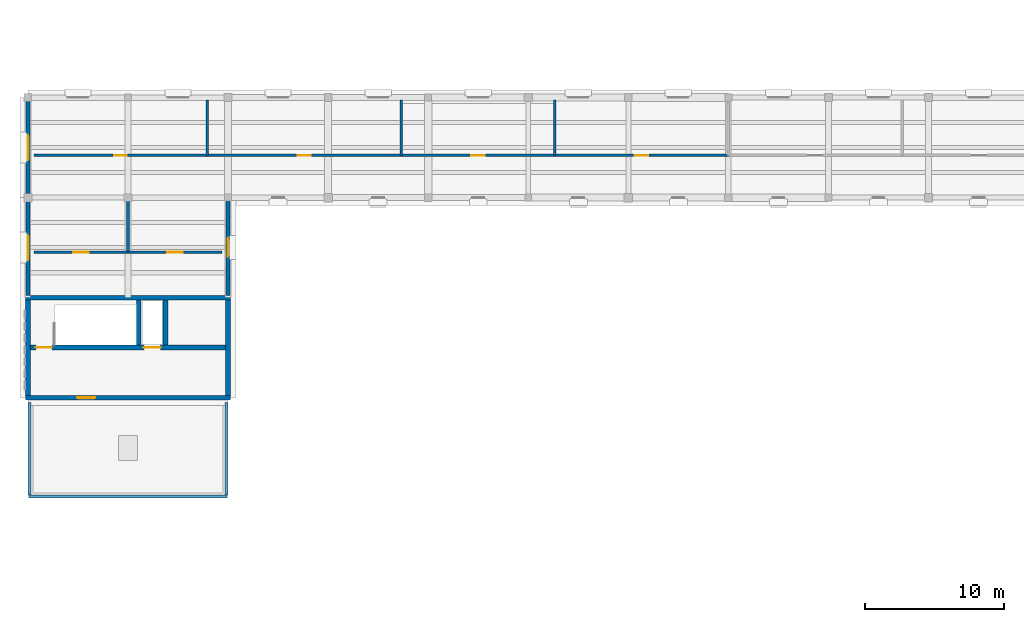
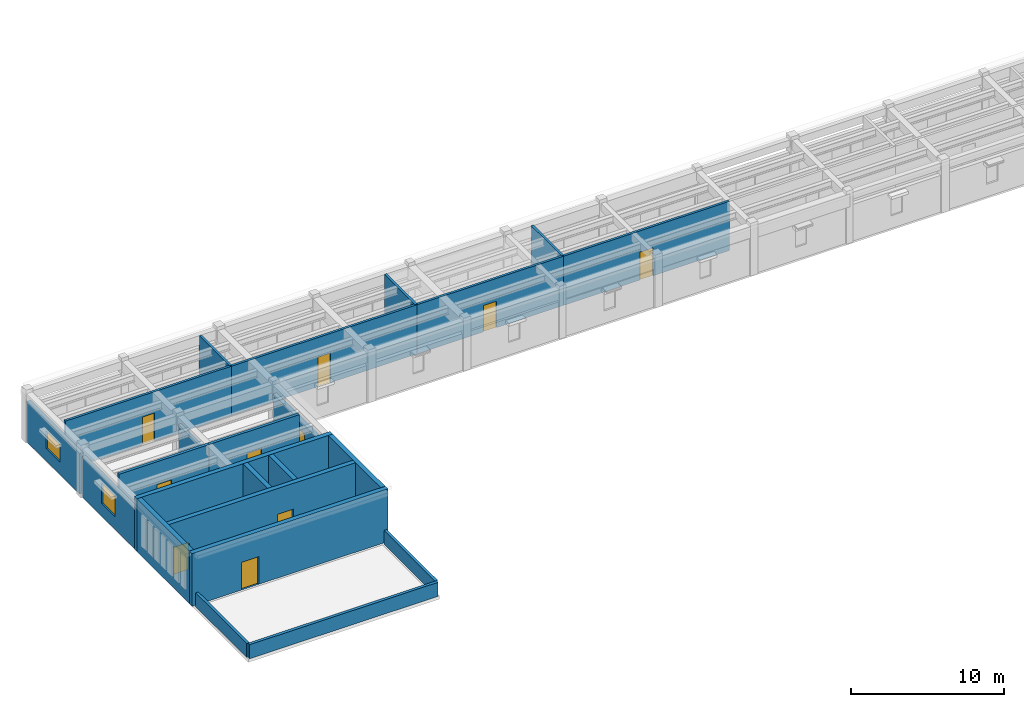
# One storey, part 9 of 22: 23 walls, 9 doors, 3 windows, 12 openings.
"""IFC4 building model written with IfcOpenShell, lengths in metres."""

import ifcopenshell
import ifcopenshell.guid

model = None  # the IFC model being written
_history = None  # IfcOwnerHistory: only IFC2X3 demands one
_inside = {}  # id of a spatial element -> (the spatial element, [elements in it])
_under = {}  # id of a project, library or spatial element -> (it, [spatial elements below it])
_declared = {}  # id of a project -> (the project, [libraries it declares])
_typed = {}  # id of a type object -> (the type object, [elements of that type])
_made_of = {}  # id of a material, layer set ... -> (it, [elements and type objects made of it])


def new_model(schema):
    """Start an empty IFC model of exactly this schema.

    Asked for "IFC4X3", IfcOpenShell would pick the latest addendum, in which some entities
    have other attributes; the version numbers below select the first issue.
    IFC2X3 requires an IfcOwnerHistory on every rooted entity: one is made here for all.
    """
    global model, _history
    if schema == "IFC4X3":
        model = ifcopenshell.file(schema_version=(4, 3, 0, 0))
    else:
        model = ifcopenshell.file(schema=schema)
    _inside.clear()
    _under.clear()
    _declared.clear()
    _typed.clear()
    _made_of.clear()
    _history = None
    if model.schema == "IFC2X3":
        org = make("IfcOrganization", Name="unknown")
        user = make(
            "IfcPersonAndOrganization",
            ThePerson=make("IfcPerson", FamilyName="unknown"),
            TheOrganization=org,
        )
        app = make(
            "IfcApplication",
            ApplicationDeveloper=org,
            Version="unknown",
            ApplicationFullName="unknown",
            ApplicationIdentifier="unknown",
        )
        _history = make(
            "IfcOwnerHistory",
            OwningUser=user,
            OwningApplication=app,
            ChangeAction="ADDED",
            CreationDate=0,
        )
    return model


def make(cls, **values):
    """One entity of the class cls with the attributes given. An attribute that is None is left unset."""
    return model.create_entity(
        cls, **{name: value for name, value in values.items() if value is not None}
    )


def rooted(cls, **values):
    """An entity with a GlobalId (a new one), such as an element, a storey or a relation."""
    return make(cls, GlobalId=ifcopenshell.guid.new(), OwnerHistory=_history, **values)


def si_unit(unit_type, name, prefix=None):
    """IfcSIUnit, for example si_unit("LENGTHUNIT", "METRE", prefix="MILLI")."""
    return make("IfcSIUnit", UnitType=unit_type, Prefix=prefix, Name=name)


def assignment(units):
    """IfcUnitAssignment: the units of a project."""
    return None if units is None else make("IfcUnitAssignment", Units=units)


def point(xyz):
    """IfcCartesianPoint."""
    return None if xyz is None else make("IfcCartesianPoint", Coordinates=xyz)


def direction(xyz):
    """IfcDirection."""
    return None if xyz is None else make("IfcDirection", DirectionRatios=xyz)


def frame(location, z_axis=None, x_axis=None):
    """IfcAxis2Placement3D, a coordinate frame: its origin and axes. An axis left out is left unset."""
    return make(
        "IfcAxis2Placement3D",
        Location=point(location),
        Axis=direction(z_axis),
        RefDirection=direction(x_axis),
    )


def frame_2d(location, x_axis=None):
    """IfcAxis2Placement2D, a coordinate frame in the plane: its origin and x axis."""
    return make(
        "IfcAxis2Placement2D", Location=point(location), RefDirection=direction(x_axis)
    )


def origin():
    """The frame at (0, 0, 0) with its axes left unset."""
    return frame((0.0, 0.0, 0.0))


def place(relative_to, where):
    """IfcLocalPlacement: puts the frame where relative to a parent placement (None: the world)."""
    return make(
        "IfcLocalPlacement", PlacementRelTo=relative_to, RelativePlacement=where
    )


def context(
    kind, dimensions, precision=None, world=None, true_north=None, identifier=None
):
    """IfcGeometricRepresentationContext, for example the 3D "Model" context."""
    return make(
        "IfcGeometricRepresentationContext",
        ContextIdentifier=identifier,
        ContextType=kind,
        CoordinateSpaceDimension=dimensions,
        Precision=precision,
        WorldCoordinateSystem=world,
        TrueNorth=true_north,
    )


def subcontext(parent, identifier, kind, view, scale=None):
    """IfcGeometricRepresentationSubContext, for example "Body" below "Model"."""
    return make(
        "IfcGeometricRepresentationSubContext",
        ContextIdentifier=identifier,
        ContextType=kind,
        ParentContext=parent,
        TargetScale=scale,
        TargetView=view,
    )


def project(units=None, contexts=None):
    """IfcProject with its units and contexts."""
    return rooted(
        "IfcProject",
        Name="project",
        RepresentationContexts=contexts,
        UnitsInContext=assignment(units),
    )


def spatial(cls, under=None, at=None, **own):
    """A site, building, storey or space (cls), placed at a placement, below another one or the project."""
    s = rooted(cls, ObjectPlacement=at, **own)
    if under is not None:
        _under.setdefault(under.id(), (under, []))[1].append(s)
    return s


def profile(cls, at=None, kind="AREA", **sizes):
    """A parametric profile (cls). Its sizes go by their IFC names, for example OverallWidth=200.0."""
    return make(cls, ProfileType=kind, Position=at, **sizes)


def rectangle(**sizes):
    """IfcRectangleProfileDef."""
    return profile("IfcRectangleProfileDef", **sizes)


def extrude(swept, where, along, depth):
    """IfcExtrudedAreaSolid: the profile swept, set in the frame where, extruded along a direction by depth."""
    return make(
        "IfcExtrudedAreaSolid",
        SweptArea=swept,
        Position=where,
        ExtrudedDirection=direction(along),
        Depth=depth,
    )


def shape(context_of_items, identifier, shape_type, items):
    """IfcShapeRepresentation: the items that make up one representation, for example the "Body"."""
    return make(
        "IfcShapeRepresentation",
        ContextOfItems=context_of_items,
        RepresentationIdentifier=identifier,
        RepresentationType=shape_type,
        Items=items,
    )


def material(Name=None, Category=None):
    """IfcMaterial."""
    return make("IfcMaterial", Name=Name, Category=Category)


def layer(
    of_material, thickness, ventilated=None, Name=None, Category=None, Priority=None
):
    """IfcMaterialLayer: one layer of a wall or slab, of a material (None: an air gap)."""
    return make(
        "IfcMaterialLayer",
        Material=of_material,
        LayerThickness=thickness,
        IsVentilated=ventilated,
        Name=Name,
        Category=Category,
        Priority=Priority,
    )


def layer_set(layers, Name=None):
    """IfcMaterialLayerSet."""
    return make("IfcMaterialLayerSet", MaterialLayers=layers, LayerSetName=Name)


def made_of(thing, what):
    """Note that an element or type object is made of a material, layer set ...; save() writes the relation."""
    if what is not None:
        _made_of.setdefault(what.id(), (what, []))[1].append(thing)
    return thing


def type_object(cls, material=None, **own):
    """A type object (cls), such as IfcWallType, which elements share."""
    return made_of(rooted(cls, **own), material)


def element(
    cls,
    number,
    at=None,
    inside=None,
    cuts=None,
    type_object=None,
    material=None,
    context=None,
    identifier="Body",
    shape_type=None,
    held_by="IfcProductDefinitionShape",
    body=None,
    shapes=None,
    **own,
):
    """One element of the class cls, such as IfcWall. Its Tag is "e" and its number.

    at: its placement. inside: the storey or other place that contains it. cuts: it is an
    opening in that element (IfcRelVoidsElement). A single representation is given by context,
    identifier, shape_type and body (its items); several are given by shapes. held_by: the class
    of the entity that holds the representations. save() writes the other relations.
    """
    e = rooted(cls, Tag="e%d" % number, ObjectPlacement=at, **own)
    if body is not None:
        shapes = [shape(context, identifier, shape_type, body)]
    if shapes is not None:
        e.Representation = make(held_by, Representations=shapes)
    if inside is not None:
        _inside.setdefault(inside.id(), (inside, []))[1].append(e)
    if cuts is not None:
        rooted(
            "IfcRelVoidsElement", RelatingBuildingElement=cuts, RelatedOpeningElement=e
        )
    if type_object is not None:
        _typed.setdefault(type_object.id(), (type_object, []))[1].append(e)
    return made_of(e, material)


def fill(opening, filler):
    """IfcRelFillsElement: the door or window that sits in an opening."""
    return rooted(
        "IfcRelFillsElement",
        RelatingOpeningElement=opening,
        RelatedBuildingElement=filler,
    )


def aggregate(whole, parts):
    """IfcRelAggregates: a whole, such as a stair, and the parts it consists of."""
    return rooted("IfcRelAggregates", RelatingObject=whole, RelatedObjects=parts)


def save(model, path):
    """Write the relations noted so far, then the file.

    IfcRelAggregates (storeys below a building ...), IfcRelContainedInSpatialStructure (elements
    in a storey), IfcRelDefinesByType, IfcRelAssociatesMaterial and IfcRelDeclares: one each for
    every whole, place, type object, material and project.
    """
    for whole, parts in _under.values():
        aggregate(whole, parts)
    for where, things in _inside.values():
        rooted(
            "IfcRelContainedInSpatialStructure",
            RelatedElements=things,
            RelatingStructure=where,
        )
    for kind, things in _typed.values():
        rooted("IfcRelDefinesByType", RelatedObjects=things, RelatingType=kind)
    for what, things in _made_of.values():
        rooted("IfcRelAssociatesMaterial", RelatedObjects=things, RelatingMaterial=what)
    for by, libraries in _declared.values():
        rooted("IfcRelDeclares", RelatingContext=by, RelatedDefinitions=libraries)
    model.write(path)


model = new_model("IFC4")

# Units and contexts
model_context = context("Model", 3, precision=1e-05, world=origin(), true_north=direction((0.0, 1.0)))
body_context = subcontext(model_context, "Body", "Model", "MODEL_VIEW")
ifc_project = project(units=[si_unit("LENGTHUNIT", "METRE"), si_unit("AREAUNIT", "SQUARE_METRE"), si_unit("VOLUMEUNIT", "CUBIC_METRE"), si_unit("PLANEANGLEUNIT", "RADIAN"), si_unit("MASSUNIT", "GRAM", prefix="KILO")], contexts=[model_context])

# Site, building, storey
site_placement = place(None, origin())
site = spatial("IfcSite", under=ifc_project, at=site_placement, CompositionType="ELEMENT")
building_placement = place(site_placement, origin())
building = spatial("IfcBuilding", under=site, at=building_placement, Name="Mithqara Police Headquarters", CompositionType="ELEMENT")
storey_placement = place(building_placement, frame((0.0, 0.0, 22.199951171875)))
storey = spatial("IfcBuildingStorey", under=building, at=storey_placement, Name="L05", CompositionType="ELEMENT", Elevation=22.199951171875)

# Wall, opening, window
ifc_material_1 = material(Name="Ochre masonry cavity wall, 35 MPa", Category="masonry")
ifc_layer_1 = layer(ifc_material_1, 0.300048828125, Name="Ochre masonry cavity wall, 35 MPa")
ifc_layer_set_1 = layer_set([ifc_layer_1], Name="Ochre masonry cavity wall, 35 MPa")
wall_type_1 = type_object("IfcWallType", Name="EXT WALL OCHRE BRICK300", PredefinedType="SOLIDWALL", material=ifc_layer_set_1)
wall_1_placement = place(storey_placement, frame((22.199951171875, 71.570068359375, 0.0), z_axis=(0.0, 0.0, 1.0), x_axis=(0.0, 1.0, 0.0)))
wall_1 = element("IfcWall", 1, at=wall_1_placement, inside=storey, type_object=wall_type_1, Name="L05 Exterior Wall 2.1", PredefinedType="SOLIDWALL", context=body_context, shape_type="SweptSolid", body=[
    extrude(rectangle(XDim=6.8798828125, YDim=0.300048828125, at=frame_2d((3.43994140625, 0.0))), origin(), (0.0, 0.0, 1.0), 3.1201171875),
])
opening_1_placement = place(wall_1_placement, frame((2.7900390625, 0.0, 1.0)))
opening_1 = element("IfcOpeningElement", 2, at=opening_1_placement, cuts=wall_1, Name="Opening W-16", PredefinedType="OPENING", context=body_context, shape_type="SweptSolid", body=[
    extrude(rectangle(XDim=1.300048828125, YDim=1.39990234375, at=frame_2d((0.64990234375, 0.699951171875))), frame((0.0, 0.16015625, 0.0), z_axis=(0.0, -1.0, 0.0), x_axis=(1.0, 0.0, 0.0)), (0.0, 0.0, 1.0), 0.320068359375),
])
ifc_material_2 = material(Name="Spectrally selective double low-e glass", Category="glass")
window_type_1 = type_object("IfcWindowType", Name="WINDOW 1300X1400", PartitioningType="SINGLE_PANEL", PredefinedType="WINDOW", material=ifc_material_2)
window_1_placement = place(opening_1_placement, origin())
window_1 = element("IfcWindow", 3, at=window_1_placement, inside=storey, type_object=window_type_1, Name="L05 Deep-Set Punched Window 2.1", OverallHeight=1.39990234375, OverallWidth=1.300048828125, PartitioningType="SINGLE_PANEL", PredefinedType="WINDOW", context=body_context, shape_type="SweptSolid", body=[
    extrude(rectangle(XDim=1.300048828125, YDim=1.39990234375, at=frame_2d((0.64990234375, 0.699951171875))), frame((0.0, 0.030029296875, 0.0), z_axis=(0.0, -1.0, 0.0), x_axis=(1.0, 0.0, 0.0)), (0.0, 0.0, 1.0), 0.06005859375),
])
fill(opening_1, window_1)

wall_2_placement = place(storey_placement, frame((7.800048828125, 85.64990234375, 0.0), z_axis=(0.0, 0.0, 1.0), x_axis=(0.0, -1.0, 0.0)))
wall_2 = element("IfcWall", 4, at=wall_2_placement, inside=storey, type_object=wall_type_1, Name="L05 Exterior Wall 11.1", PredefinedType="SOLIDWALL", context=body_context, shape_type="SweptSolid", body=[
    extrude(rectangle(XDim=6.89990234375, YDim=0.300048828125, at=frame_2d((3.449951171875, 0.0))), origin(), (0.0, 0.0, 1.0), 3.219970703125),
])
opening_2_placement = place(wall_2_placement, frame((2.550048828125, 0.0, 1.0)))
opening_2 = element("IfcOpeningElement", 5, at=opening_2_placement, cuts=wall_2, Name="Opening W-31", PredefinedType="OPENING", context=body_context, shape_type="SweptSolid", body=[
    extrude(rectangle(XDim=1.800048828125, YDim=1.39990234375, at=frame_2d((0.89990234375, 0.699951171875))), frame((0.0, 0.16015625, 0.0), z_axis=(0.0, -1.0, 0.0), x_axis=(1.0, 0.0, 0.0)), (0.0, 0.0, 1.0), 0.320068359375),
])
window_type_2 = type_object("IfcWindowType", Name="WINDOW 1800X1400", PartitioningType="DOUBLE_PANEL_VERTICAL", PredefinedType="WINDOW", material=ifc_material_2)
window_2_placement = place(opening_2_placement, origin())
window_2 = element("IfcWindow", 6, at=window_2_placement, inside=storey, type_object=window_type_2, Name="L05 Deep-Set Punched Window 11.1", OverallHeight=1.39990234375, OverallWidth=1.800048828125, PartitioningType="SINGLE_PANEL", PredefinedType="WINDOW", context=body_context, shape_type="SweptSolid", body=[
    extrude(rectangle(XDim=1.800048828125, YDim=1.39990234375, at=frame_2d((0.89990234375, 0.699951171875))), frame((0.0, 0.030029296875, 0.0), z_axis=(0.0, -1.0, 0.0), x_axis=(1.0, 0.0, 0.0)), (0.0, 0.0, 1.0), 0.06005859375),
])
fill(opening_2, window_2)

wall_3_placement = place(storey_placement, frame((7.800048828125, 78.449951171875, 0.0), z_axis=(0.0, 0.0, 1.0), x_axis=(0.0, -1.0, 0.0)))
wall_3 = element("IfcWall", 7, at=wall_3_placement, inside=storey, type_object=wall_type_1, Name="L05 Exterior Wall 12.1", PredefinedType="SOLIDWALL", context=body_context, shape_type="SweptSolid", body=[
    extrude(rectangle(XDim=6.8798828125, YDim=0.300048828125, at=frame_2d((3.43994140625, 0.0))), origin(), (0.0, 0.0, 1.0), 3.170166015625),
])
opening_3_placement = place(wall_3_placement, frame((2.5400390625, 0.0, 1.0)))
opening_3 = element("IfcOpeningElement", 8, at=opening_3_placement, cuts=wall_3, Name="Opening W-32", PredefinedType="OPENING", context=body_context, shape_type="SweptSolid", body=[
    extrude(rectangle(XDim=1.800048828125, YDim=1.64990234375, at=frame_2d((0.89990234375, 0.824951171875))), frame((0.0, 0.16015625, 0.0), z_axis=(0.0, -1.0, 0.0), x_axis=(1.0, 0.0, 0.0)), (0.0, 0.0, 1.0), 0.320068359375),
])
window_type_3 = type_object("IfcWindowType", Name="WINDOW 1800X1650", PartitioningType="DOUBLE_PANEL_VERTICAL", PredefinedType="WINDOW", material=ifc_material_2)
window_3_placement = place(opening_3_placement, origin())
window_3 = element("IfcWindow", 9, at=window_3_placement, inside=storey, type_object=window_type_3, Name="L05 Deep-Set Punched Window 12.1", OverallHeight=1.64990234375, OverallWidth=1.800048828125, PartitioningType="SINGLE_PANEL", PredefinedType="WINDOW", context=body_context, shape_type="SweptSolid", body=[
    extrude(rectangle(XDim=1.800048828125, YDim=1.64990234375, at=frame_2d((0.89990234375, 0.824951171875))), frame((0.0, 0.030029296875, 0.0), z_axis=(0.0, -1.0, 0.0), x_axis=(1.0, 0.0, 0.0)), (0.0, 0.0, 1.0), 0.06005859375),
])
fill(opening_3, window_3)

# Walls
ifc_material_3 = material(Name="Limestone ashlar masonry, 45 MPa", Category="masonry")
ifc_layer_2 = layer(ifc_material_3, 0.199951171875, Name="Limestone ashlar masonry, 45 MPa")
ifc_layer_set_2 = layer_set([ifc_layer_2], Name="Limestone ashlar masonry, 45 MPa")
wall_type_2 = type_object("IfcWallType", Name="PARAPET WALL 200", PredefinedType="PARAPET", material=ifc_layer_set_2)
for number, where, z_axis, x_axis, name in (
    (10, (7.909912109375, 57.219970703125, 0.0), (0.0, 0.0, 1.0), (0.0, 1.0, 0.0), "L05 Limestone Roof Parapet ROOF-L04-00-2"),
    (11, (22.090087890625, 63.8701171875, 0.0), (0.0, 0.0, 1.0), (0.0, -1.0, 0.0), "L05 Limestone Roof Parapet ROOF-L04-00-4"),
):
    element("IfcWall", number, at=place(storey_placement, frame(where, z_axis=z_axis, x_axis=x_axis)), inside=storey, type_object=wall_type_2, Name=name, PredefinedType="PARAPET", context=body_context, shape_type="SweptSolid", body=[
        extrude(rectangle(XDim=6.650146484375, YDim=0.199951171875, at=frame_2d((3.3251953125, 0.0))), origin(), (0.0, 0.0, 1.0), 1.1201171875),
    ])
ifc_layer_3 = layer(ifc_material_3, 0.219970703125, Name="Limestone ashlar masonry, 45 MPa")
ifc_layer_set_3 = layer_set([ifc_layer_3], Name="Limestone ashlar masonry, 45 MPa")
wall_type_3 = type_object("IfcWallType", Name="PARAPET WALL 220", PredefinedType="PARAPET", material=ifc_layer_set_3)
wall_4_placement = place(storey_placement, frame((22.090087890625, 57.110107421875, 0.0), z_axis=(0.0, 0.0, 1.0), x_axis=(-1.0, 0.0, 0.0)))
element("IfcWall", 12, at=wall_4_placement, inside=storey, type_object=wall_type_3, Name="L05 Limestone Roof Parapet ROOF-L04-00-1", PredefinedType="PARAPET", context=body_context, shape_type="SweptSolid", body=[
    extrude(rectangle(XDim=14.18017578125, YDim=0.219970703125, at=frame_2d((7.090087890625, 0.0))), origin(), (0.0, 0.0, 1.0), 1.1201171875),
])

# Wall, opening, door
ifc_material_4 = material(Name="Concrete C40/50", Category="concrete")
ifc_layer_4 = layer(ifc_material_4, 0.179931640625, Name="Concrete C40/50")
ifc_layer_set_4 = layer_set([ifc_layer_4], Name="Concrete C40/50")
wall_type_4 = type_object("IfcWallType", Name="PART WALL 180", PredefinedType="PARTITIONING", material=ifc_layer_set_4)
wall_5_placement = place(storey_placement, frame((8.219970703125, 81.639892578125, 0.0), z_axis=(0.0, 0.0, 1.0), x_axis=(1.0, 0.0, 0.0)))
wall_5 = element("IfcWall", 13, at=wall_5_placement, inside=storey, type_object=wall_type_4, Name="L05 Corridor Wall Internal Oversight Suite", PredefinedType="PARTITIONING", context=body_context, shape_type="SweptSolid", body=[
    extrude(rectangle(XDim=12.4951171875, YDim=0.179931640625, at=frame_2d((6.24755859375, 0.0))), origin(), (0.0, 0.0, 1.0), 3.920166015625),
])
opening_4_placement = place(wall_5_placement, frame((5.78759765625, 0.0, 0.0)))
opening_4 = element("IfcOpeningElement", 14, at=opening_4_placement, cuts=wall_5, Name="Opening D-02", PredefinedType="OPENING", context=body_context, shape_type="SweptSolid", body=[
    extrude(rectangle(XDim=0.919921875, YDim=2.219970703125, at=frame_2d((0.4599609375, 1.10986328125))), frame((0.0, 0.10009765625, 0.0), z_axis=(0.0, -1.0, 0.0), x_axis=(1.0, 0.0, 0.0)), (0.0, 0.0, 1.0), 0.199951171875),
])
ifc_material_5 = material(Name="Acoustic solid-core timber leaf", Category="wood")
door_type_1 = type_object("IfcDoorType", Name="INT DOOR 920X2220", OperationType="NOTDEFINED", PredefinedType="DOOR", material=ifc_material_5)
door_1_placement = place(opening_4_placement, origin())
door_1 = element("IfcDoor", 15, at=door_1_placement, inside=storey, type_object=door_type_1, Name="Internal Oversight Suite Entry Door", OperationType="SINGLE_SWING_LEFT", OverallHeight=2.219970703125, OverallWidth=0.919921875, PredefinedType="DOOR", context=body_context, shape_type="SweptSolid", body=[
    extrude(rectangle(XDim=0.919921875, YDim=2.219970703125, at=frame_2d((0.4599609375, 1.10986328125))), frame((0.0, 0.02490234375, 0.0), z_axis=(0.0, -1.0, 0.0), x_axis=(1.0, 0.0, 0.0)), (0.0, 0.0, 1.0), 0.050048828125),
])
fill(opening_4, door_1)

# Wall
wall_6_placement = place(storey_placement, frame((20.715087890625, 81.639892578125, 0.0), z_axis=(0.0, 0.0, 1.0), x_axis=(0.0, 1.0, 0.0)))
element("IfcWall", 16, at=wall_6_placement, inside=storey, type_object=wall_type_4, Name="L05 Room Partition Internal Oversight Suite", PredefinedType="PARTITIONING", context=body_context, shape_type="SweptSolid", body=[
    extrude(rectangle(XDim=3.980224609375, YDim=0.179931640625, at=frame_2d((1.990234375, 0.0))), origin(), (0.0, 0.0, 1.0), 3.920166015625),
])

# Wall, opening, door
wall_7_placement = place(storey_placement, frame((20.715087890625, 81.639892578125, 0.0), z_axis=(0.0, 0.0, 1.0), x_axis=(1.0, 0.0, 0.0)))
wall_7 = element("IfcWall", 17, at=wall_7_placement, inside=storey, type_object=wall_type_4, Name="L05 Corridor Wall Professional Standards Hearing Room", PredefinedType="PARTITIONING", context=body_context, shape_type="SweptSolid", body=[
    extrude(rectangle(XDim=13.94482421875, YDim=0.179931640625, at=frame_2d((6.972412109375, 0.0))), origin(), (0.0, 0.0, 1.0), 3.920166015625),
])
opening_5_placement = place(wall_7_placement, frame((6.512451171875, 0.0, 0.0)))
opening_5 = element("IfcOpeningElement", 18, at=opening_5_placement, cuts=wall_7, Name="Opening D-03", PredefinedType="OPENING", context=body_context, shape_type="SweptSolid", body=[
    extrude(rectangle(XDim=0.919921875, YDim=2.35009765625, at=frame_2d((0.4599609375, 1.175048828125))), frame((0.0, 0.10009765625, 0.0), z_axis=(0.0, -1.0, 0.0), x_axis=(1.0, 0.0, 0.0)), (0.0, 0.0, 1.0), 0.199951171875),
])
door_type_2 = type_object("IfcDoorType", Name="INT DOOR 920X2350", OperationType="NOTDEFINED", PredefinedType="DOOR", material=ifc_material_5)
door_2_placement = place(opening_5_placement, origin())
door_2 = element("IfcDoor", 19, at=door_2_placement, inside=storey, type_object=door_type_2, Name="Professional Standards Hearing Room Entry Door", OperationType="SINGLE_SWING_RIGHT", OverallHeight=2.35009765625, OverallWidth=0.919921875, PredefinedType="DOOR", context=body_context, shape_type="SweptSolid", body=[
    extrude(rectangle(XDim=0.919921875, YDim=2.35009765625, at=frame_2d((0.4599609375, 1.175048828125))), frame((0.0, 0.02490234375, 0.0), z_axis=(0.0, -1.0, 0.0), x_axis=(1.0, 0.0, 0.0)), (0.0, 0.0, 1.0), 0.050048828125),
])
fill(opening_5, door_2)

# Wall
wall_8_placement = place(storey_placement, frame((34.659912109375, 81.639892578125, 0.0), z_axis=(0.0, 0.0, 1.0), x_axis=(0.0, 1.0, 0.0)))
element("IfcWall", 20, at=wall_8_placement, inside=storey, type_object=wall_type_4, Name="L05 Room Partition Professional Standards Hearing Room", PredefinedType="PARTITIONING", context=body_context, shape_type="SweptSolid", body=[
    extrude(rectangle(XDim=3.980224609375, YDim=0.179931640625, at=frame_2d((1.990234375, 0.0))), origin(), (0.0, 0.0, 1.0), 3.920166015625),
])

# Wall, opening, door
wall_9_placement = place(storey_placement, frame((34.659912109375, 81.639892578125, 0.0), z_axis=(0.0, 0.0, 1.0), x_axis=(1.0, 0.0, 0.0)))
wall_9 = element("IfcWall", 21, at=wall_9_placement, inside=storey, type_object=wall_type_4, Name="L05 Corridor Wall Inspectorate Audit Room", PredefinedType="PARTITIONING", context=body_context, shape_type="SweptSolid", body=[
    extrude(rectangle(XDim=11.045166015625, YDim=0.179931640625, at=frame_2d((5.5224609375, 0.0))), origin(), (0.0, 0.0, 1.0), 3.920166015625),
])
opening_6_placement = place(wall_9_placement, frame((5.032470703125, 0.0, 0.0)))
opening_6 = element("IfcOpeningElement", 22, at=opening_6_placement, cuts=wall_9, Name="Opening D-04", PredefinedType="OPENING", context=body_context, shape_type="SweptSolid", body=[
    extrude(rectangle(XDim=0.97998046875, YDim=2.10009765625, at=frame_2d((0.489990234375, 1.050048828125))), frame((0.0, 0.10009765625, 0.0), z_axis=(0.0, -1.0, 0.0), x_axis=(1.0, 0.0, 0.0)), (0.0, 0.0, 1.0), 0.199951171875),
])
door_type_3 = type_object("IfcDoorType", Name="INT DOOR 980X2100", OperationType="NOTDEFINED", PredefinedType="DOOR", material=ifc_material_5)
door_3_placement = place(opening_6_placement, origin())
door_3 = element("IfcDoor", 23, at=door_3_placement, inside=storey, type_object=door_type_3, Name="Inspectorate Audit Room Entry Door", OperationType="SINGLE_SWING_LEFT", OverallHeight=2.10009765625, OverallWidth=0.97998046875, PredefinedType="DOOR", context=body_context, shape_type="SweptSolid", body=[
    extrude(rectangle(XDim=0.97998046875, YDim=2.10009765625, at=frame_2d((0.489990234375, 1.050048828125))), frame((0.0, 0.02490234375, 0.0), z_axis=(0.0, -1.0, 0.0), x_axis=(1.0, 0.0, 0.0)), (0.0, 0.0, 1.0), 0.050048828125),
])
fill(opening_6, door_3)

# Wall
wall_10_placement = place(storey_placement, frame((45.705078125, 81.639892578125, 0.0), z_axis=(0.0, 0.0, 1.0), x_axis=(0.0, 1.0, 0.0)))
element("IfcWall", 24, at=wall_10_placement, inside=storey, type_object=wall_type_4, Name="L05 Room Partition Inspectorate Audit Room", PredefinedType="PARTITIONING", context=body_context, shape_type="SweptSolid", body=[
    extrude(rectangle(XDim=3.980224609375, YDim=0.179931640625, at=frame_2d((1.990234375, 0.0))), origin(), (0.0, 0.0, 1.0), 3.920166015625),
])

# Wall, opening, door
wall_11_placement = place(storey_placement, frame((45.705078125, 81.639892578125, 0.0), z_axis=(0.0, 0.0, 1.0), x_axis=(1.0, 0.0, 0.0)))
wall_11 = element("IfcWall", 25, at=wall_11_placement, inside=storey, type_object=wall_type_4, Name="L05 Corridor Wall Internal Oversight Suite", PredefinedType="PARTITIONING", context=body_context, shape_type="SweptSolid", body=[
    extrude(rectangle(XDim=12.494873046875, YDim=0.179931640625, at=frame_2d((6.24755859375, 0.0))), origin(), (0.0, 0.0, 1.0), 3.920166015625),
])
opening_7_placement = place(wall_11_placement, frame((5.757568359375, 0.0, 0.0)))
opening_7 = element("IfcOpeningElement", 26, at=opening_7_placement, cuts=wall_11, Name="Opening D-05", PredefinedType="OPENING", context=body_context, shape_type="SweptSolid", body=[
    extrude(rectangle(XDim=0.97998046875, YDim=2.219970703125, at=frame_2d((0.489990234375, 1.10986328125))), frame((0.0, 0.10009765625, 0.0), z_axis=(0.0, -1.0, 0.0), x_axis=(1.0, 0.0, 0.0)), (0.0, 0.0, 1.0), 0.199951171875),
])
door_type_4 = type_object("IfcDoorType", Name="INT DOOR 980X2220", OperationType="NOTDEFINED", PredefinedType="DOOR", material=ifc_material_5)
door_4_placement = place(opening_7_placement, origin())
door_4 = element("IfcDoor", 27, at=door_4_placement, inside=storey, type_object=door_type_4, Name="Internal Oversight Suite Entry Door", OperationType="SINGLE_SWING_RIGHT", OverallHeight=2.219970703125, OverallWidth=0.97998046875, PredefinedType="DOOR", context=body_context, shape_type="SweptSolid", body=[
    extrude(rectangle(XDim=0.97998046875, YDim=2.219970703125, at=frame_2d((0.489990234375, 1.10986328125))), frame((0.0, 0.02490234375, 0.0), z_axis=(0.0, -1.0, 0.0), x_axis=(1.0, 0.0, 0.0)), (0.0, 0.0, 1.0), 0.050048828125),
])
fill(opening_7, door_4)

ifc_layer_5 = layer(ifc_material_4, 0.2099609375, Name="Concrete C40/50")
ifc_layer_set_5 = layer_set([ifc_layer_5], Name="Concrete C40/50")
wall_type_5 = type_object("IfcWallType", Name="PART WALL 210", PredefinedType="PARTITIONING", material=ifc_layer_set_5)
wall_12_placement = place(storey_placement, frame((8.219970703125, 74.669921875, 0.0), z_axis=(0.0, 0.0, 1.0), x_axis=(1.0, 0.0, 0.0)))
wall_12 = element("IfcWall", 28, at=wall_12_placement, inside=storey, type_object=wall_type_5, Name="L05 Corridor Wall Strategic Planning Office", PredefinedType="PARTITIONING", context=body_context, shape_type="SweptSolid", body=[
    extrude(rectangle(XDim=6.780029296875, YDim=0.2099609375, at=frame_2d((3.39013671875, 0.0))), origin(), (0.0, 0.0, 1.0), 3.920166015625),
])
opening_8_placement = place(wall_12_placement, frame((2.840087890625, 0.0, 0.0)))
opening_8 = element("IfcOpeningElement", 29, at=opening_8_placement, cuts=wall_12, Name="Opening D-10", PredefinedType="OPENING", context=body_context, shape_type="SweptSolid", body=[
    extrude(rectangle(XDim=1.10009765625, YDim=2.10009765625, at=frame_2d((0.550048828125, 1.050048828125))), frame((0.0, 0.114990234375, 0.0), z_axis=(0.0, -1.0, 0.0), x_axis=(1.0, 0.0, 0.0)), (0.0, 0.0, 1.0), 0.22998046875),
])
door_type_5 = type_object("IfcDoorType", Name="INT DOOR 1100X2100", OperationType="NOTDEFINED", PredefinedType="DOOR", material=ifc_material_5)
door_5_placement = place(opening_8_placement, origin())
door_5 = element("IfcDoor", 30, at=door_5_placement, inside=storey, type_object=door_type_5, Name="Strategic Planning Office Entry Door", OperationType="SINGLE_SWING_LEFT", OverallHeight=2.10009765625, OverallWidth=1.10009765625, PredefinedType="DOOR", context=body_context, shape_type="SweptSolid", body=[
    extrude(rectangle(XDim=1.10009765625, YDim=2.10009765625, at=frame_2d((0.550048828125, 1.050048828125))), frame((0.0, 0.02490234375, 0.0), z_axis=(0.0, -1.0, 0.0), x_axis=(1.0, 0.0, 0.0)), (0.0, 0.0, 1.0), 0.050048828125),
])
fill(opening_8, door_5)

# Wall
wall_13_placement = place(storey_placement, frame((15.0, 74.669921875, 0.0), z_axis=(0.0, 0.0, 1.0), x_axis=(0.0, 1.0, 0.0)))
element("IfcWall", 31, at=wall_13_placement, inside=storey, type_object=wall_type_5, Name="L05 Room Partition Strategic Planning Office", PredefinedType="PARTITIONING", context=body_context, shape_type="SweptSolid", body=[
    extrude(rectangle(XDim=3.75, YDim=0.2099609375, at=frame_2d((1.875, 0.0))), origin(), (0.0, 0.0, 1.0), 3.219970703125),
])

# Wall, opening, door
wall_14_placement = place(storey_placement, frame((15.0, 74.669921875, 0.0), z_axis=(0.0, 0.0, 1.0), x_axis=(1.0, 0.0, 0.0)))
wall_14 = element("IfcWall", 32, at=wall_14_placement, inside=storey, type_object=wall_type_5, Name="L05 Corridor Wall Communications Security Office", PredefinedType="PARTITIONING", context=body_context, shape_type="SweptSolid", body=[
    extrude(rectangle(XDim=6.780029296875, YDim=0.2099609375, at=frame_2d((3.39013671875, 0.0))), origin(), (0.0, 0.0, 1.0), 3.920166015625),
])
opening_9_placement = place(wall_14_placement, frame((2.840087890625, 0.0, 0.0)))
opening_9 = element("IfcOpeningElement", 33, at=opening_9_placement, cuts=wall_14, Name="Opening D-11", PredefinedType="OPENING", context=body_context, shape_type="SweptSolid", body=[
    extrude(rectangle(XDim=1.10009765625, YDim=2.219970703125, at=frame_2d((0.550048828125, 1.10986328125))), frame((0.0, 0.114990234375, 0.0), z_axis=(0.0, -1.0, 0.0), x_axis=(1.0, 0.0, 0.0)), (0.0, 0.0, 1.0), 0.22998046875),
])
door_type_6 = type_object("IfcDoorType", Name="INT DOOR 1100X2220", OperationType="NOTDEFINED", PredefinedType="DOOR", material=ifc_material_5)
door_6_placement = place(opening_9_placement, origin())
door_6 = element("IfcDoor", 34, at=door_6_placement, inside=storey, type_object=door_type_6, Name="Communications Security Office Entry Door", OperationType="SINGLE_SWING_RIGHT", OverallHeight=2.219970703125, OverallWidth=1.10009765625, PredefinedType="DOOR", context=body_context, shape_type="SweptSolid", body=[
    extrude(rectangle(XDim=1.10009765625, YDim=2.219970703125, at=frame_2d((0.550048828125, 1.10986328125))), frame((0.0, 0.02490234375, 0.0), z_axis=(0.0, -1.0, 0.0), x_axis=(1.0, 0.0, 0.0)), (0.0, 0.0, 1.0), 0.050048828125),
])
fill(opening_9, door_6)

# Wall
ifc_material_6 = material(Name="Concrete C50/60", Category="concrete")
ifc_layer_6 = layer(ifc_material_6, 0.340087890625, Name="Concrete C50/60")
ifc_layer_set_6 = layer_set([ifc_layer_6], Name="Concrete C50/60")
wall_type_6 = type_object("IfcWallType", Name="SHEAR WALL 340", PredefinedType="SHEAR", material=ifc_layer_set_6)
wall_15_placement = place(storey_placement, frame((7.6298828125, 71.39990234375, 0.0), z_axis=(0.0, 0.0, 1.0), x_axis=(1.0, 0.0, 0.0)))
element("IfcWall", 35, at=wall_15_placement, inside=storey, type_object=wall_type_6, Name="Core C3 Operations West Shear Wall N", PredefinedType="SHEAR", context=body_context, shape_type="SweptSolid", body=[
    extrude(rectangle(XDim=14.740234375, YDim=0.340087890625, at=frame_2d((7.3701171875, 0.0))), origin(), (0.0, 0.0, 1.0), 4.199951171875),
])

# Wall, opening, door
wall_16_placement = place(storey_placement, frame((7.6298828125, 64.199951171875, 0.0), z_axis=(0.0, 0.0, 1.0), x_axis=(1.0, 0.0, 0.0)))
wall_16 = element("IfcWall", 36, at=wall_16_placement, inside=storey, type_object=wall_type_6, Name="Core C3 Operations West Shear Wall S", PredefinedType="SHEAR", context=body_context, shape_type="SweptSolid", body=[
    extrude(rectangle(XDim=14.740234375, YDim=0.340087890625, at=frame_2d((7.3701171875, 0.0))), origin(), (0.0, 0.0, 1.0), 4.199951171875),
])
opening_10_placement = place(wall_16_placement, frame((3.719970703125, 0.0, 0.0)))
opening_10 = element("IfcOpeningElement", 37, at=opening_10_placement, cuts=wall_16, Name="Opening FD-02", PredefinedType="OPENING", context=body_context, shape_type="SweptSolid", body=[
    extrude(rectangle(XDim=1.300048828125, YDim=2.199951171875, at=frame_2d((0.64990234375, 1.10009765625))), frame((0.0, 0.18017578125, 0.0), z_axis=(0.0, -1.0, 0.0), x_axis=(1.0, 0.0, 0.0)), (0.0, 0.0, 1.0), 0.360107421875),
])
ifc_material_7 = material(Name="Steel S355JR", Category="steel")
door_type_7 = type_object("IfcDoorType", Name="CORE DOOR LOBBY 1300X2200", OperationType="NOTDEFINED", PredefinedType="DOOR", material=ifc_material_7)
door_7_placement = place(opening_10_placement, frame((1.300048828125, 0.0, 0.0), z_axis=(0.0, 0.0, 1.0), x_axis=(-1.0, 0.0, 0.0)))
door_7 = element("IfcDoor", 38, at=door_7_placement, inside=storey, type_object=door_type_7, Name="Core C3 Operations West Lobby Fire Door L05", OperationType="SINGLE_SWING_LEFT", OverallHeight=2.199951171875, OverallWidth=1.300048828125, PredefinedType="DOOR", context=body_context, shape_type="SweptSolid", body=[
    extrude(rectangle(XDim=1.300048828125, YDim=2.199951171875, at=frame_2d((0.64990234375, 1.10009765625))), frame((0.0, 0.02490234375, 0.0), z_axis=(0.0, -1.0, 0.0), x_axis=(1.0, 0.0, 0.0)), (0.0, 0.0, 1.0), 0.050048828125),
])
fill(opening_10, door_7)

# Walls
for number, where, z_axis, x_axis, name in (
    (39, (7.800048828125, 64.3798828125, 0.0), (0.0, 0.0, 1.0), (0.0, 1.0, 0.0), "Core C3 Operations West Shear Wall W"),
    (40, (22.199951171875, 64.3798828125, 0.0), (0.0, 0.0, 1.0), (0.0, 1.0, 0.0), "Core C3 Operations West Shear Wall E"),
):
    element("IfcWall", number, at=place(storey_placement, frame(where, z_axis=z_axis, x_axis=x_axis)), inside=storey, type_object=wall_type_6, Name=name, PredefinedType="SHEAR", context=body_context, shape_type="SweptSolid", body=[
        extrude(rectangle(XDim=6.840087890625, YDim=0.340087890625, at=frame_2d((3.419921875, 0.0))), origin(), (0.0, 0.0, 1.0), 4.199951171875),
    ])

# Wall, openings, doors
wall_17_placement = place(storey_placement, frame((7.97998046875, 67.820068359375, 0.0), z_axis=(0.0, 0.0, 1.0), x_axis=(1.0, 0.0, 0.0)))
wall_17 = element("IfcWall", 41, at=wall_17_placement, inside=storey, type_object=wall_type_6, Name="Core C3 Operations West Shear Wall M", PredefinedType="SHEAR", context=body_context, shape_type="SweptSolid", body=[
    extrude(rectangle(XDim=14.0400390625, YDim=0.340087890625, at=frame_2d((7.02001953125, 0.0))), origin(), (0.0, 0.0, 1.0), 4.199951171875),
])
opening_11_placement = place(wall_17_placement, frame((8.159912109375, 0.0, 0.0)))
opening_11 = element("IfcOpeningElement", 42, at=opening_11_placement, cuts=wall_17, Name="Opening LD-02", PredefinedType="OPENING", context=body_context, shape_type="SweptSolid", body=[
    extrude(rectangle(XDim=1.199951171875, YDim=2.14990234375, at=frame_2d((0.60009765625, 1.074951171875))), frame((0.0, 0.18017578125, 0.0), z_axis=(0.0, -1.0, 0.0), x_axis=(1.0, 0.0, 0.0)), (0.0, 0.0, 1.0), 0.360107421875),
])
opening_12_placement = place(wall_17_placement, frame((0.39501953125, 0.0, 0.0)))
opening_12 = element("IfcOpeningElement", 43, at=opening_12_placement, cuts=wall_17, Name="Opening FD-01", PredefinedType="OPENING", context=body_context, shape_type="SweptSolid", body=[
    extrude(rectangle(XDim=1.14990234375, YDim=2.14990234375, at=frame_2d((0.574951171875, 1.074951171875))), frame((0.0, 0.18017578125, 0.0), z_axis=(0.0, -1.0, 0.0), x_axis=(1.0, 0.0, 0.0)), (0.0, 0.0, 1.0), 0.360107421875),
])
door_type_8 = type_object("IfcDoorType", Name="CORE DOOR STAIR 1150X2150", OperationType="NOTDEFINED", PredefinedType="DOOR", material=ifc_material_7)
door_8_placement = place(opening_12_placement, origin())
door_8 = element("IfcDoor", 44, at=door_8_placement, inside=storey, type_object=door_type_8, Name="Stair ST-03 Fire Door L05", OperationType="SINGLE_SWING_RIGHT", OverallHeight=2.14990234375, OverallWidth=1.14990234375, PredefinedType="DOOR", context=body_context, shape_type="SweptSolid", body=[
    extrude(rectangle(XDim=1.14990234375, YDim=2.14990234375, at=frame_2d((0.574951171875, 1.074951171875))), frame((0.0, 0.02490234375, 0.0), z_axis=(0.0, -1.0, 0.0), x_axis=(1.0, 0.0, 0.0)), (0.0, 0.0, 1.0), 0.050048828125),
])
fill(opening_12, door_8)
door_type_9 = type_object("IfcDoorType", Name="LIFT DOOR 1200X2150", OperationType="DOUBLE_DOOR_SLIDING", PredefinedType="DOOR", material=ifc_material_7)
door_9_placement = place(opening_11_placement, frame((1.199951171875, 0.0, 0.0), z_axis=(0.0, 0.0, 1.0), x_axis=(-1.0, 0.0, 0.0)))
door_9 = element("IfcDoor", 45, at=door_9_placement, inside=storey, type_object=door_type_9, Name="Lift Landing Door LP-05-L05", OperationType="DOUBLE_DOOR_SLIDING", OverallHeight=2.14990234375, OverallWidth=1.199951171875, PredefinedType="DOOR", context=body_context, shape_type="SweptSolid", body=[
    extrude(rectangle(XDim=1.199951171875, YDim=2.14990234375, at=frame_2d((0.60009765625, 1.074951171875))), frame((0.0, 0.02490234375, 0.0), z_axis=(0.0, -1.0, 0.0), x_axis=(1.0, 0.0, 0.0)), (0.0, 0.0, 1.0), 0.050048828125),
])
fill(opening_11, door_9)

# Walls
for number, where, z_axis, x_axis, name in (
    (46, (15.780029296875, 68.0, 0.0), (0.0, 0.0, 1.0), (0.0, 1.0, 0.0), "Core C3 Operations West Shear Wall X"),
    (47, (17.699951171875, 68.0, 0.0), (0.0, 0.0, 1.0), (0.0, 1.0, 0.0), "Core C3 Operations West Shear Wall L1"),
):
    element("IfcWall", number, at=place(storey_placement, frame(where, z_axis=z_axis, x_axis=x_axis)), inside=storey, type_object=wall_type_6, Name=name, PredefinedType="SHEAR", context=body_context, shape_type="SweptSolid", body=[
        extrude(rectangle(XDim=3.219970703125, YDim=0.340087890625, at=frame_2d((1.60986328125, 0.0))), origin(), (0.0, 0.0, 1.0), 4.199951171875),
    ])

save(model, "model.ifc")
